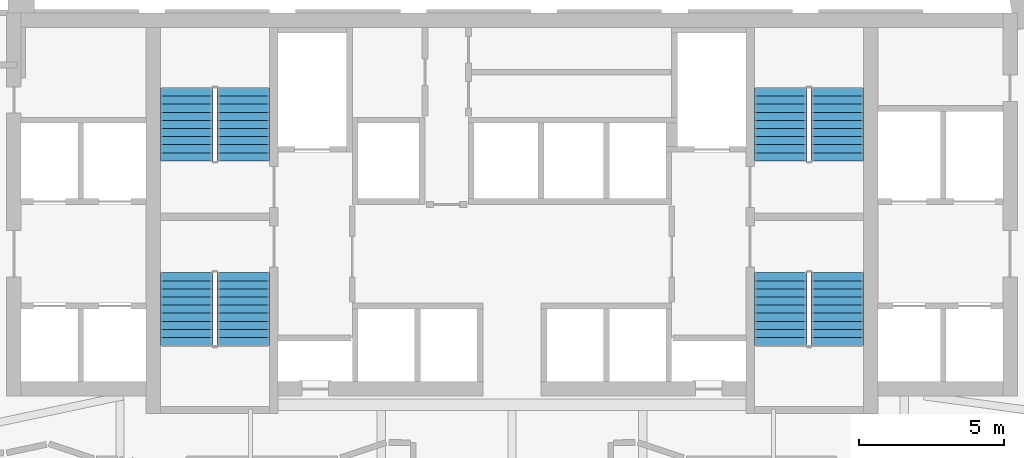
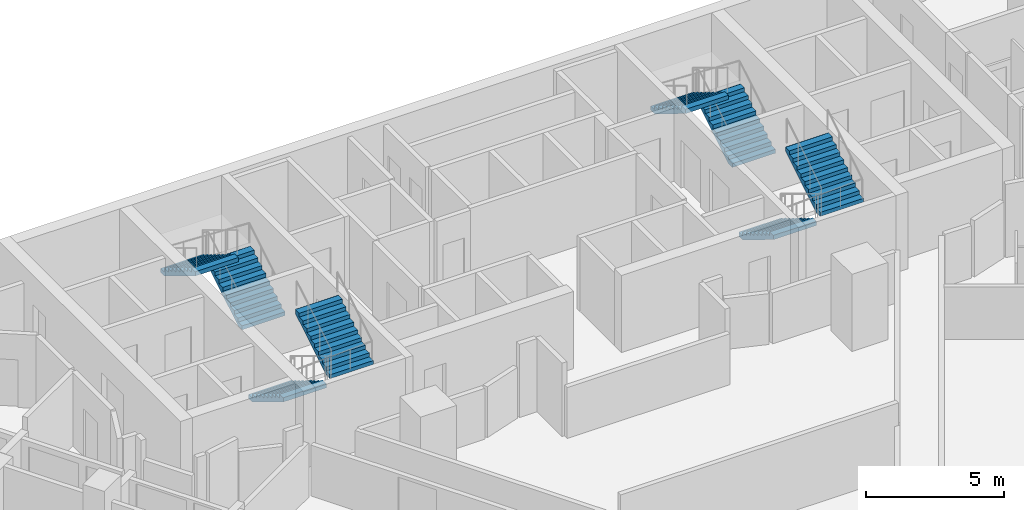
# One storey, part 10 of 11: 8 stair flights, 4 elements without a shape of their own.
"""IFC4 building model written with IfcOpenShell, lengths in metres."""

from ifc_helpers import new_model, si_unit, direction, frame, origin, place, context, subcontext, project, spatial, faceted_brep, source, transform, mapped, material, type_object, element, aggregate, save


model = new_model("IFC4")

# Units and contexts
model_context = context("Model", 3, precision=1e-05, world=origin(), true_north=direction((0.0, 1.0)))
body_context = subcontext(model_context, "Body", "Model", "MODEL_VIEW")
ifc_project = project(units=[si_unit("LENGTHUNIT", "METRE"), si_unit("AREAUNIT", "SQUARE_METRE"), si_unit("VOLUMEUNIT", "CUBIC_METRE"), si_unit("PLANEANGLEUNIT", "RADIAN"), si_unit("MASSUNIT", "GRAM", prefix="KILO")], contexts=[model_context])

# Site, building, storey
site_placement = place(None, origin())
site = spatial("IfcSite", under=ifc_project, at=site_placement, CompositionType="ELEMENT")
building_placement = place(site_placement, origin())
building = spatial("IfcBuilding", under=site, at=building_placement, Name="Calabash Gate Tower", CompositionType="ELEMENT")
storey_placement = place(building_placement, frame((0.0, 0.0, 129.199951171875)))
storey = spatial("IfcBuildingStorey", under=building, at=storey_placement, Name="L30", CompositionType="ELEMENT", Elevation=129.199951171875)

# Stair, stair flights
ifc_material_1 = material(Name="Concrete C40/50", Category="concrete")
stair_type = type_object("IfcStairType", Name="Exit stair 20 risers of 170 mm", PredefinedType="HALF_TURN_STAIR", material=ifc_material_1)
stair_1_placement = place(storey_placement, origin())
stair_1 = element("IfcStair", 1, at=stair_1_placement, inside=storey, type_object=stair_type, Name="L30 Exit stair ST1", PredefinedType="HALF_TURN_STAIR")
ifc_material_2 = material(Name="Concrete C40/50", Category="concrete")
stair_flight_type = type_object("IfcStairFlightType", Name="Exit stair flight SFL", PredefinedType="STRAIGHT", material=ifc_material_2)
shared_shape = source(origin(), body_context, "Body", "Brep", [
    faceted_brep([(-0.0009765625, -0.89990234375, 0.0), (0.2880859375, -0.89990234375, 0.0), (2.511962890625, -0.89990234375, 1.3544921875), (-0.0009765625, 0.89990234375, 0.0), (2.511962890625, 0.89990234375, 1.3544921875), (0.2880859375, 0.89990234375, 0.0), (2.511962890625, -0.89990234375, 1.5419921875), (2.510986328125, -0.89990234375, 1.5419921875), (2.510986328125, 0.89990234375, 1.5419921875), (2.511962890625, 0.89990234375, 1.5419921875), (2.510986328125, -0.89990234375, 1.530029296875), (2.510986328125, 0.89990234375, 1.530029296875), (2.23193359375, -0.89990234375, 1.530029296875), (2.23193359375, 0.89990234375, 1.530029296875), (2.23193359375, -0.89990234375, 1.360107421875), (2.23193359375, 0.89990234375, 1.360107421875), (1.952880859375, -0.89990234375, 1.360107421875), (1.952880859375, 0.89990234375, 1.360107421875), (1.952880859375, -0.89990234375, 1.18994140625), (1.952880859375, 0.89990234375, 1.18994140625), (1.674072265625, -0.89990234375, 1.18994140625), (1.674072265625, -0.89990234375, 1.02001953125), (1.674072265625, 0.89990234375, 1.02001953125), (1.674072265625, 0.89990234375, 1.18994140625), (1.39501953125, -0.89990234375, 1.02001953125), (1.39501953125, -0.89990234375, 0.85009765625), (1.39501953125, 0.89990234375, 0.85009765625), (1.39501953125, 0.89990234375, 1.02001953125), (1.115966796875, -0.89990234375, 0.85009765625), (1.115966796875, -0.89990234375, 0.679931640625), (1.115966796875, 0.89990234375, 0.679931640625), (1.115966796875, 0.89990234375, 0.85009765625), (0.8369140625, -0.89990234375, 0.679931640625), (0.8369140625, -0.89990234375, 0.510009765625), (0.8369140625, 0.89990234375, 0.510009765625), (0.8369140625, 0.89990234375, 0.679931640625), (0.55810546875, -0.89990234375, 0.510009765625), (0.55810546875, -0.89990234375, 0.340087890625), (0.55810546875, 0.89990234375, 0.340087890625), (0.55810546875, 0.89990234375, 0.510009765625), (0.279052734375, -0.89990234375, 0.340087890625), (0.279052734375, -0.89990234375, 0.169921875), (0.279052734375, 0.89990234375, 0.169921875), (0.279052734375, 0.89990234375, 0.340087890625), (-0.0009765625, -0.89990234375, 0.169921875), (-0.0009765625, 0.89990234375, 0.169921875), (0.2880859375, -0.360107421875, 0.0), (2.511962890625, -0.360107421875, 1.3544921875), (0.2880859375, -0.179931640625, 0.0), (2.511962890625, -0.179931640625, 1.3544921875), (0.2880859375, 0.0, 0.0), (2.511962890625, 0.0, 1.3544921875), (0.2880859375, 0.179931640625, 0.0), (2.511962890625, 0.179931640625, 1.3544921875), (0.2880859375, 0.360107421875, 0.0), (2.511962890625, 0.360107421875, 1.3544921875), (2.511962890625, -0.360107421875, 1.5419921875), (2.511962890625, -0.179931640625, 1.5419921875), (2.511962890625, 0.0, 1.5419921875), (2.511962890625, 0.179931640625, 1.5419921875), (2.511962890625, 0.360107421875, 1.5419921875), (2.510986328125, -0.360107421875, 1.5419921875), (2.510986328125, -0.179931640625, 1.5419921875), (2.510986328125, 0.0, 1.5419921875), (2.510986328125, 0.179931640625, 1.5419921875), (2.510986328125, 0.360107421875, 1.5419921875), (2.510986328125, -0.360107421875, 1.530029296875), (2.510986328125, -0.179931640625, 1.530029296875), (2.510986328125, 0.0, 1.530029296875), (2.510986328125, 0.179931640625, 1.530029296875), (2.510986328125, 0.360107421875, 1.530029296875), (2.23193359375, -0.360107421875, 1.530029296875), (2.23193359375, -0.179931640625, 1.530029296875), (2.23193359375, 0.0, 1.530029296875), (2.23193359375, 0.179931640625, 1.530029296875), (2.23193359375, 0.360107421875, 1.530029296875), (2.23193359375, -0.360107421875, 1.360107421875), (2.23193359375, -0.179931640625, 1.360107421875), (2.23193359375, 0.0, 1.360107421875), (2.23193359375, 0.179931640625, 1.360107421875), (2.23193359375, 0.360107421875, 1.360107421875), (1.952880859375, -0.360107421875, 1.360107421875), (1.952880859375, -0.179931640625, 1.360107421875), (1.952880859375, 0.0, 1.360107421875), (1.952880859375, 0.179931640625, 1.360107421875), (1.952880859375, 0.360107421875, 1.360107421875), (1.952880859375, -0.360107421875, 1.18994140625), (1.952880859375, -0.179931640625, 1.18994140625), (1.952880859375, 0.0, 1.18994140625), (1.952880859375, 0.179931640625, 1.18994140625), (1.952880859375, 0.360107421875, 1.18994140625), (1.674072265625, -0.360107421875, 1.18994140625), (1.674072265625, -0.179931640625, 1.18994140625), (1.674072265625, 0.0, 1.18994140625), (1.674072265625, 0.179931640625, 1.18994140625), (1.674072265625, 0.360107421875, 1.18994140625), (1.674072265625, -0.360107421875, 1.02001953125), (1.674072265625, -0.179931640625, 1.02001953125), (1.674072265625, 0.0, 1.02001953125), (1.674072265625, 0.179931640625, 1.02001953125), (1.674072265625, 0.360107421875, 1.02001953125), (1.39501953125, -0.360107421875, 1.02001953125), (1.39501953125, -0.179931640625, 1.02001953125), (1.39501953125, 0.0, 1.02001953125), (1.39501953125, 0.179931640625, 1.02001953125), (1.39501953125, 0.360107421875, 1.02001953125), (1.39501953125, -0.360107421875, 0.85009765625), (1.39501953125, -0.179931640625, 0.85009765625), (1.39501953125, 0.0, 0.85009765625), (1.39501953125, 0.179931640625, 0.85009765625), (1.39501953125, 0.360107421875, 0.85009765625), (1.115966796875, -0.360107421875, 0.85009765625), (1.115966796875, -0.179931640625, 0.85009765625), (1.115966796875, 0.0, 0.85009765625), (1.115966796875, 0.179931640625, 0.85009765625), (1.115966796875, 0.360107421875, 0.85009765625), (1.115966796875, -0.360107421875, 0.679931640625), (1.115966796875, -0.179931640625, 0.679931640625), (1.115966796875, 0.0, 0.679931640625), (1.115966796875, 0.179931640625, 0.679931640625), (1.115966796875, 0.360107421875, 0.679931640625), (0.8369140625, -0.360107421875, 0.679931640625), (0.8369140625, -0.179931640625, 0.679931640625), (0.8369140625, 0.0, 0.679931640625), (0.8369140625, 0.179931640625, 0.679931640625), (0.8369140625, 0.360107421875, 0.679931640625), (0.8369140625, -0.360107421875, 0.510009765625), (0.8369140625, -0.179931640625, 0.510009765625), (0.8369140625, 0.0, 0.510009765625), (0.8369140625, 0.179931640625, 0.510009765625), (0.8369140625, 0.360107421875, 0.510009765625), (0.55810546875, -0.360107421875, 0.510009765625), (0.55810546875, -0.179931640625, 0.510009765625), (0.55810546875, 0.0, 0.510009765625), (0.55810546875, 0.179931640625, 0.510009765625), (0.55810546875, 0.360107421875, 0.510009765625), (0.55810546875, -0.360107421875, 0.340087890625), (0.55810546875, -0.179931640625, 0.340087890625), (0.55810546875, 0.0, 0.340087890625), (0.55810546875, 0.179931640625, 0.340087890625), (0.55810546875, 0.360107421875, 0.340087890625), (0.279052734375, -0.360107421875, 0.340087890625), (0.279052734375, -0.179931640625, 0.340087890625), (0.279052734375, 0.0, 0.340087890625), (0.279052734375, 0.179931640625, 0.340087890625), (0.279052734375, 0.360107421875, 0.340087890625), (0.279052734375, -0.360107421875, 0.169921875), (0.279052734375, -0.179931640625, 0.169921875), (0.279052734375, 0.0, 0.169921875), (0.279052734375, 0.179931640625, 0.169921875), (0.279052734375, 0.360107421875, 0.169921875), (-0.0009765625, -0.360107421875, 0.169921875), (-0.0009765625, -0.179931640625, 0.169921875), (-0.0009765625, 0.0, 0.169921875), (-0.0009765625, 0.179931640625, 0.169921875), (-0.0009765625, 0.360107421875, 0.169921875), (-0.0009765625, -0.360107421875, 0.0), (-0.0009765625, -0.179931640625, 0.0), (-0.0009765625, 0.0, 0.0), (-0.0009765625, 0.179931640625, 0.0), (-0.0009765625, 0.360107421875, 0.0)], [[[0, 1, 2]], [[3, 4, 5]], [[2, 6, 7]], [[4, 8, 9]], [[2, 7, 10]], [[4, 11, 8]], [[2, 10, 12]], [[4, 13, 11]], [[2, 12, 14]], [[4, 15, 13]], [[2, 14, 16]], [[4, 17, 15]], [[2, 16, 18]], [[4, 19, 17]], [[18, 20, 21]], [[19, 22, 23]], [[2, 18, 21]], [[4, 22, 19]], [[21, 24, 25]], [[22, 26, 27]], [[2, 21, 25]], [[4, 26, 22]], [[25, 28, 29]], [[26, 30, 31]], [[2, 25, 29]], [[4, 30, 26]], [[29, 32, 33]], [[30, 34, 35]], [[2, 29, 33]], [[4, 34, 30]], [[33, 36, 37]], [[34, 38, 39]], [[2, 33, 37]], [[4, 38, 34]], [[37, 40, 41]], [[38, 42, 43]], [[2, 37, 41]], [[4, 42, 38]], [[0, 2, 41]], [[3, 42, 4]], [[41, 44, 0]], [[42, 3, 45]], [[1, 46, 2]], [[46, 47, 2]], [[46, 48, 47]], [[48, 49, 47]], [[48, 50, 49]], [[50, 51, 49]], [[50, 52, 53]], [[50, 53, 51]], [[52, 54, 55]], [[52, 55, 53]], [[54, 5, 4]], [[54, 4, 55]], [[2, 47, 6]], [[47, 56, 6]], [[47, 49, 56]], [[49, 57, 56]], [[49, 51, 57]], [[51, 58, 57]], [[51, 53, 59]], [[51, 59, 58]], [[53, 55, 60]], [[53, 60, 59]], [[55, 4, 9]], [[55, 9, 60]], [[6, 56, 7]], [[56, 61, 7]], [[56, 57, 61]], [[57, 62, 61]], [[57, 58, 62]], [[58, 63, 62]], [[58, 59, 64]], [[58, 64, 63]], [[59, 60, 65]], [[59, 65, 64]], [[60, 9, 8]], [[60, 8, 65]], [[7, 61, 10]], [[61, 66, 10]], [[61, 62, 66]], [[62, 67, 66]], [[62, 63, 67]], [[63, 68, 67]], [[63, 64, 69]], [[63, 69, 68]], [[64, 65, 70]], [[64, 70, 69]], [[65, 8, 11]], [[65, 11, 70]], [[10, 66, 12]], [[66, 71, 12]], [[66, 67, 71]], [[67, 72, 71]], [[67, 68, 72]], [[68, 73, 72]], [[68, 69, 74]], [[68, 74, 73]], [[69, 70, 75]], [[69, 75, 74]], [[70, 11, 13]], [[70, 13, 75]], [[12, 71, 14]], [[71, 76, 14]], [[71, 72, 76]], [[72, 77, 76]], [[72, 73, 77]], [[73, 78, 77]], [[73, 74, 79]], [[73, 79, 78]], [[74, 75, 80]], [[74, 80, 79]], [[75, 13, 15]], [[75, 15, 80]], [[14, 76, 16]], [[76, 81, 16]], [[76, 77, 81]], [[77, 82, 81]], [[77, 78, 82]], [[78, 83, 82]], [[78, 79, 84]], [[78, 84, 83]], [[79, 80, 85]], [[79, 85, 84]], [[80, 15, 17]], [[80, 17, 85]], [[16, 81, 18]], [[81, 86, 18]], [[81, 82, 86]], [[82, 87, 86]], [[82, 83, 87]], [[83, 88, 87]], [[83, 84, 89]], [[83, 89, 88]], [[84, 85, 90]], [[84, 90, 89]], [[85, 17, 19]], [[85, 19, 90]], [[18, 86, 20]], [[86, 91, 20]], [[86, 87, 91]], [[87, 92, 91]], [[87, 88, 92]], [[88, 93, 92]], [[88, 89, 94]], [[88, 94, 93]], [[89, 90, 95]], [[89, 95, 94]], [[90, 19, 23]], [[90, 23, 95]], [[20, 91, 21]], [[91, 96, 21]], [[91, 92, 96]], [[92, 97, 96]], [[92, 93, 97]], [[93, 98, 97]], [[93, 94, 99]], [[93, 99, 98]], [[94, 95, 100]], [[94, 100, 99]], [[95, 23, 22]], [[95, 22, 100]], [[21, 96, 24]], [[96, 101, 24]], [[96, 97, 101]], [[97, 102, 101]], [[97, 98, 102]], [[98, 103, 102]], [[98, 99, 104]], [[98, 104, 103]], [[99, 100, 105]], [[99, 105, 104]], [[100, 22, 27]], [[100, 27, 105]], [[24, 101, 25]], [[101, 106, 25]], [[101, 102, 106]], [[102, 107, 106]], [[102, 103, 107]], [[103, 108, 107]], [[103, 104, 109]], [[103, 109, 108]], [[104, 105, 110]], [[104, 110, 109]], [[105, 27, 26]], [[105, 26, 110]], [[25, 106, 28]], [[106, 111, 28]], [[106, 107, 111]], [[107, 112, 111]], [[107, 108, 112]], [[108, 113, 112]], [[108, 109, 114]], [[108, 114, 113]], [[109, 110, 115]], [[109, 115, 114]], [[110, 26, 31]], [[110, 31, 115]], [[28, 111, 29]], [[111, 116, 29]], [[111, 112, 116]], [[112, 117, 116]], [[112, 113, 117]], [[113, 118, 117]], [[113, 114, 119]], [[113, 119, 118]], [[114, 115, 120]], [[114, 120, 119]], [[115, 31, 30]], [[115, 30, 120]], [[29, 116, 32]], [[116, 121, 32]], [[116, 117, 121]], [[117, 122, 121]], [[117, 118, 122]], [[118, 123, 122]], [[118, 119, 124]], [[118, 124, 123]], [[119, 120, 125]], [[119, 125, 124]], [[120, 30, 35]], [[120, 35, 125]], [[32, 121, 33]], [[121, 126, 33]], [[121, 122, 126]], [[122, 127, 126]], [[122, 123, 127]], [[123, 128, 127]], [[123, 124, 129]], [[123, 129, 128]], [[124, 125, 130]], [[124, 130, 129]], [[125, 35, 34]], [[125, 34, 130]], [[33, 126, 36]], [[126, 131, 36]], [[126, 127, 131]], [[127, 132, 131]], [[127, 128, 132]], [[128, 133, 132]], [[128, 129, 134]], [[128, 134, 133]], [[129, 130, 135]], [[129, 135, 134]], [[130, 34, 39]], [[130, 39, 135]], [[36, 131, 37]], [[131, 136, 37]], [[131, 132, 136]], [[132, 137, 136]], [[132, 133, 137]], [[133, 138, 137]], [[133, 134, 139]], [[133, 139, 138]], [[134, 135, 140]], [[134, 140, 139]], [[135, 39, 38]], [[135, 38, 140]], [[37, 136, 40]], [[136, 141, 40]], [[136, 137, 141]], [[137, 142, 141]], [[137, 138, 142]], [[138, 143, 142]], [[138, 139, 144]], [[138, 144, 143]], [[139, 140, 145]], [[139, 145, 144]], [[140, 38, 43]], [[140, 43, 145]], [[40, 141, 41]], [[141, 146, 41]], [[141, 142, 146]], [[142, 147, 146]], [[142, 143, 147]], [[143, 148, 147]], [[143, 144, 149]], [[143, 149, 148]], [[144, 145, 150]], [[144, 150, 149]], [[145, 43, 42]], [[145, 42, 150]], [[41, 146, 44]], [[146, 151, 44]], [[146, 147, 151]], [[147, 152, 151]], [[147, 148, 152]], [[148, 153, 152]], [[148, 149, 154]], [[148, 154, 153]], [[149, 150, 155]], [[149, 155, 154]], [[150, 42, 45]], [[150, 45, 155]], [[44, 151, 0]], [[151, 156, 0]], [[151, 152, 156]], [[152, 157, 156]], [[152, 153, 157]], [[153, 158, 157]], [[153, 154, 159]], [[153, 159, 158]], [[154, 155, 160]], [[154, 160, 159]], [[155, 45, 3]], [[155, 3, 160]], [[0, 156, 1]], [[156, 46, 1]], [[156, 157, 46]], [[157, 48, 46]], [[157, 158, 48]], [[158, 50, 48]], [[158, 159, 52]], [[158, 52, 50]], [[159, 160, 54]], [[159, 54, 52]], [[160, 3, 5]], [[160, 5, 54]]]),
])
stair_flight_1_placement = place(storey_placement, frame((-9.25, 13.95263671875, 0.0), z_axis=(0.0, 0.0, 1.0), x_axis=(0.0, 1.0, 0.0)))
stair_flight_1 = element("IfcStairFlight", 2, at=stair_flight_1_placement, type_object=stair_flight_type, Name="ST1 flight 1", NumberOfRisers=10, NumberOfTreads=9, PredefinedType="STRAIGHT", RiserHeight=0.17, TreadLength=0.279, context=body_context, shape_type="MappedRepresentation", body=[
    mapped(shared_shape, transform((0.0, 0.0, 0.0), scale=1.0)),
])
stair_flight_2_placement = place(storey_placement, frame((-11.199951171875, 16.463623046875, 1.699951171875), z_axis=(0.0, 0.0, 1.0), x_axis=(0.0, -1.0, 0.0)))
stair_flight_2 = element("IfcStairFlight", 3, at=stair_flight_2_placement, type_object=stair_flight_type, Name="ST1 flight 2", NumberOfRisers=10, NumberOfTreads=9, PredefinedType="STRAIGHT", RiserHeight=0.17, TreadLength=0.279, context=body_context, shape_type="MappedRepresentation", body=[
    mapped(shared_shape, transform((0.0, 0.0, 0.0), scale=1.0)),
])
aggregate(stair_1, [stair_flight_1, stair_flight_2])

stair_2_placement = place(storey_placement, origin())
stair_2 = element("IfcStair", 4, at=stair_2_placement, inside=storey, type_object=stair_type, Name="L30 Exit stair ST2", PredefinedType="HALF_TURN_STAIR")
stair_flight_3_placement = place(storey_placement, frame((-11.199951171875, 10.1025390625, 0.0), z_axis=(0.0, 0.0, 1.0), x_axis=(0.0, -1.0, 0.0)))
stair_flight_3 = element("IfcStairFlight", 5, at=stair_flight_3_placement, type_object=stair_flight_type, Name="ST2 flight 1", NumberOfRisers=10, NumberOfTreads=9, PredefinedType="STRAIGHT", RiserHeight=0.17, TreadLength=0.279, context=body_context, shape_type="MappedRepresentation", body=[
    mapped(shared_shape, transform((0.0, 0.0, 0.0), scale=1.0)),
])
stair_flight_4_placement = place(storey_placement, frame((-9.25, 7.591552734375, 1.699951171875), z_axis=(0.0, 0.0, 1.0), x_axis=(0.0, 1.0, 0.0)))
stair_flight_4 = element("IfcStairFlight", 6, at=stair_flight_4_placement, type_object=stair_flight_type, Name="ST2 flight 2", NumberOfRisers=10, NumberOfTreads=9, PredefinedType="STRAIGHT", RiserHeight=0.17, TreadLength=0.279, context=body_context, shape_type="MappedRepresentation", body=[
    mapped(shared_shape, transform((0.0, 0.0, 0.0), scale=1.0)),
])
aggregate(stair_2, [stair_flight_3, stair_flight_4])

stair_3_placement = place(storey_placement, origin())
stair_3 = element("IfcStair", 7, at=stair_3_placement, inside=storey, type_object=stair_type, Name="L30 Exit stair ST3", PredefinedType="HALF_TURN_STAIR")
stair_flight_5_placement = place(storey_placement, frame((11.199951171875, 13.95263671875, 0.0), z_axis=(0.0, 0.0, 1.0), x_axis=(0.0, 1.0, 0.0)))
stair_flight_5 = element("IfcStairFlight", 8, at=stair_flight_5_placement, type_object=stair_flight_type, Name="ST3 flight 1", NumberOfRisers=10, NumberOfTreads=9, PredefinedType="STRAIGHT", RiserHeight=0.17, TreadLength=0.279, context=body_context, shape_type="MappedRepresentation", body=[
    mapped(shared_shape, transform((0.0, 0.0, 0.0), scale=1.0)),
])
stair_flight_6_placement = place(storey_placement, frame((9.25, 16.463623046875, 1.699951171875), z_axis=(0.0, 0.0, 1.0), x_axis=(0.0, -1.0, 0.0)))
stair_flight_6 = element("IfcStairFlight", 9, at=stair_flight_6_placement, type_object=stair_flight_type, Name="ST3 flight 2", NumberOfRisers=10, NumberOfTreads=9, PredefinedType="STRAIGHT", RiserHeight=0.17, TreadLength=0.279, context=body_context, shape_type="MappedRepresentation", body=[
    mapped(shared_shape, transform((0.0, 0.0, 0.0), scale=1.0)),
])
aggregate(stair_3, [stair_flight_5, stair_flight_6])

stair_4_placement = place(storey_placement, origin())
stair_4 = element("IfcStair", 10, at=stair_4_placement, inside=storey, type_object=stair_type, Name="L30 Exit stair ST4", PredefinedType="HALF_TURN_STAIR")
stair_flight_7_placement = place(storey_placement, frame((9.25, 10.1025390625, 0.0), z_axis=(0.0, 0.0, 1.0), x_axis=(0.0, -1.0, 0.0)))
stair_flight_7 = element("IfcStairFlight", 11, at=stair_flight_7_placement, type_object=stair_flight_type, Name="ST4 flight 1", NumberOfRisers=10, NumberOfTreads=9, PredefinedType="STRAIGHT", RiserHeight=0.17, TreadLength=0.279, context=body_context, shape_type="MappedRepresentation", body=[
    mapped(shared_shape, transform((0.0, 0.0, 0.0), scale=1.0)),
])
stair_flight_8_placement = place(storey_placement, frame((11.199951171875, 7.591552734375, 1.699951171875), z_axis=(0.0, 0.0, 1.0), x_axis=(0.0, 1.0, 0.0)))
stair_flight_8 = element("IfcStairFlight", 12, at=stair_flight_8_placement, type_object=stair_flight_type, Name="ST4 flight 2", NumberOfRisers=10, NumberOfTreads=9, PredefinedType="STRAIGHT", RiserHeight=0.17, TreadLength=0.279, context=body_context, shape_type="MappedRepresentation", body=[
    mapped(shared_shape, transform((0.0, 0.0, 0.0), scale=1.0)),
])
aggregate(stair_4, [stair_flight_7, stair_flight_8])

save(model, "model.ifc")
